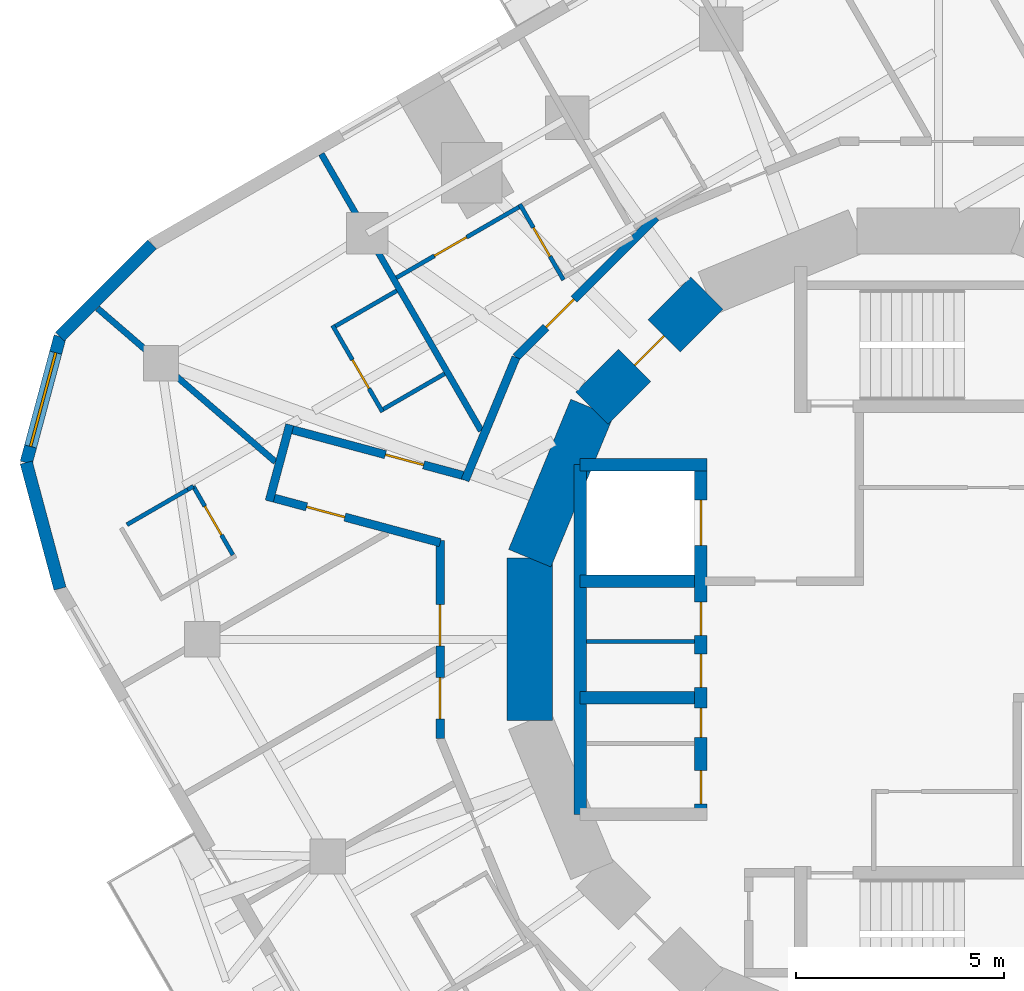
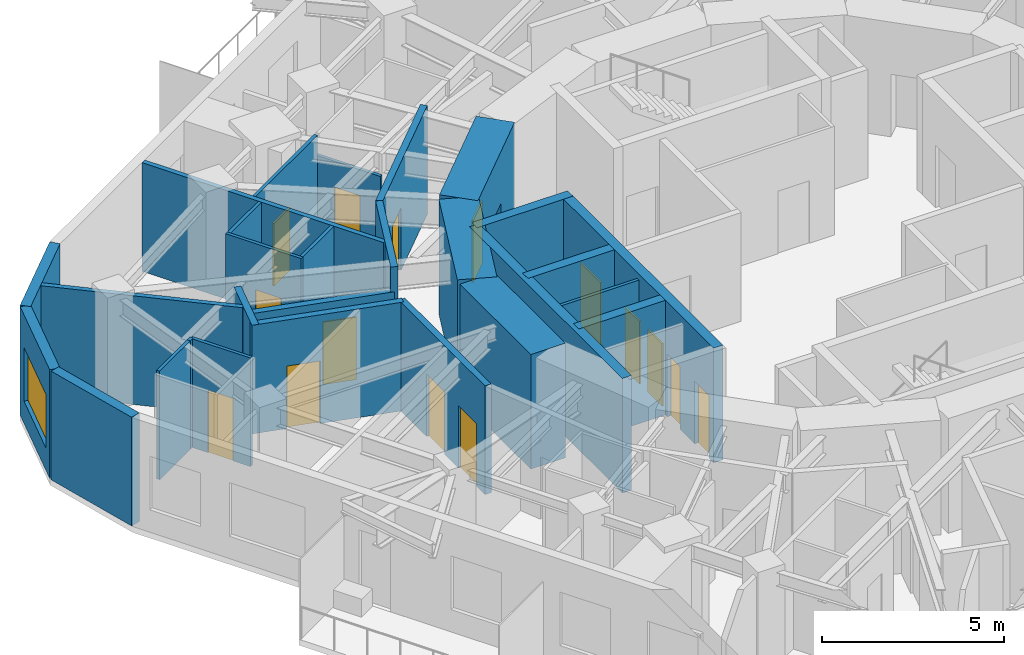
# One storey, part 6 of 12: 28 walls, 15 doors, 1 window, 16 openings.
"""IFC4 building model written with IfcOpenShell, lengths in metres."""

from ifc_helpers import new_model, si_unit, direction, frame, frame_2d, origin, place, context, subcontext, project, spatial, rectangle, extrude, material, layer, layer_set, type_object, element, fill, save


model = new_model("IFC4")

# Units and contexts
model_context = context("Model", 3, precision=1e-05, world=origin(), true_north=direction((0.0, 1.0)))
body_context = subcontext(model_context, "Body", "Model", "MODEL_VIEW")
ifc_project = project(units=[si_unit("LENGTHUNIT", "METRE"), si_unit("AREAUNIT", "SQUARE_METRE"), si_unit("VOLUMEUNIT", "CUBIC_METRE"), si_unit("PLANEANGLEUNIT", "RADIAN"), si_unit("MASSUNIT", "GRAM", prefix="KILO")], contexts=[model_context])

# Site, building, storey
site_placement = place(None, origin())
site = spatial("IfcSite", under=ifc_project, at=site_placement, CompositionType="ELEMENT")
building_placement = place(site_placement, origin())
building = spatial("IfcBuilding", under=site, at=building_placement, Name="Nakasero Lantern House", CompositionType="ELEMENT")
storey_placement = place(building_placement, frame((0.0, 0.0, 226.949951171875)))
storey = spatial("IfcBuildingStorey", under=building, at=storey_placement, Name="L55", CompositionType="ELEMENT", Elevation=226.949951171875)

# Wall, openings, doors
ifc_material_1 = material(Name="Concrete C50/60", Category="concrete")
ifc_layer_1 = layer(ifc_material_1, 0.300048828125)
ifc_layer_set_1 = layer_set([ifc_layer_1], Name="Core inner wall 300")
wall_type_1 = type_object("IfcWallType", Name="Core inner wall 300", PredefinedType="SHEAR", material=ifc_layer_set_1)
wall_1_placement = place(storey_placement, frame((-5.699951171875, -4.199951171875, 0.0), z_axis=(0.0, 0.0, 1.0), x_axis=(0.0, 1.0, 0.0)))
wall_1 = element("IfcWall", 1, at=wall_1_placement, inside=storey, type_object=wall_type_1, Name="Core inner wall L55 LW", PredefinedType="SHEAR", context=body_context, shape_type="SweptSolid", body=[
    extrude(rectangle(XDim=8.39990234375, YDim=0.300048828125, at=frame_2d((4.199951171875, 0.0))), origin(), (0.0, 0.0, 1.0), 3.85009765625),
])
opening_1_placement = place(wall_1_placement, frame((0.25, 0.0, 0.0)))
opening_1 = element("IfcOpeningElement", 2, at=opening_1_placement, cuts=wall_1, Name="Opening D19", PredefinedType="OPENING", context=body_context, shape_type="SweptSolid", body=[
    extrude(rectangle(XDim=0.800048828125, YDim=2.10009765625, at=frame_2d((0.39990234375, 1.050048828125))), frame((0.0, 0.169921875, 0.0), z_axis=(0.0, -1.0, 0.0), x_axis=(1.0, 0.0, 0.0)), (0.0, 0.0, 1.0), 0.340087890625),
])
opening_2_placement = place(wall_1_placement, frame((1.85009765625, 0.0, 0.0)))
opening_2 = element("IfcOpeningElement", 3, at=opening_2_placement, cuts=wall_1, Name="Opening D20", PredefinedType="OPENING", context=body_context, shape_type="SweptSolid", body=[
    extrude(rectangle(XDim=0.699951171875, YDim=2.10009765625, at=frame_2d((0.35009765625, 1.050048828125))), frame((0.0, 0.169921875, 0.0), z_axis=(0.0, -1.0, 0.0), x_axis=(1.0, 0.0, 0.0)), (0.0, 0.0, 1.0), 0.340087890625),
])
opening_3_placement = place(wall_1_placement, frame((3.050048828125, 0.0, 0.0)))
opening_3 = element("IfcOpeningElement", 4, at=opening_3_placement, cuts=wall_1, Name="Opening D15", PredefinedType="OPENING", context=body_context, shape_type="SweptSolid", body=[
    extrude(rectangle(XDim=0.800048828125, YDim=2.10009765625, at=frame_2d((0.39990234375, 1.050048828125))), frame((0.0, 0.169921875, 0.0), z_axis=(0.0, -1.0, 0.0), x_axis=(1.0, 0.0, 0.0)), (0.0, 0.0, 1.0), 0.340087890625),
])
opening_4_placement = place(wall_1_placement, frame((4.300048828125, 0.0, 0.0)))
opening_4 = element("IfcOpeningElement", 5, at=opening_4_placement, cuts=wall_1, Name="Opening D15", PredefinedType="OPENING", context=body_context, shape_type="SweptSolid", body=[
    extrude(rectangle(XDim=0.800048828125, YDim=2.10009765625, at=frame_2d((0.39990234375, 1.050048828125))), frame((0.0, 0.169921875, 0.0), z_axis=(0.0, -1.0, 0.0), x_axis=(1.0, 0.0, 0.0)), (0.0, 0.0, 1.0), 0.340087890625),
])
opening_5_placement = place(wall_1_placement, frame((6.449951171875, 0.0, 0.0)))
opening_5 = element("IfcOpeningElement", 6, at=opening_5_placement, cuts=wall_1, Name="Opening LD", PredefinedType="OPENING", context=body_context, shape_type="SweptSolid", body=[
    extrude(rectangle(XDim=1.10009765625, YDim=2.10009765625, at=frame_2d((0.550048828125, 1.050048828125))), frame((0.0, 0.169921875, 0.0), z_axis=(0.0, -1.0, 0.0), x_axis=(1.0, 0.0, 0.0)), (0.0, 0.0, 1.0), 0.340087890625),
])
ifc_material_2 = material(Name="Timber C24", Category="wood")
door_type_1 = type_object("IfcDoorType", Name="Cleaner's store door FD30S 700", OperationType="SINGLE_SWING_LEFT", PredefinedType="DOOR", material=ifc_material_2)
door_1_placement = place(opening_2_placement, origin())
door_1 = element("IfcDoor", 7, at=door_1_placement, inside=storey, type_object=door_type_1, Name="Door L55 D-SH-LW1b", OperationType="SINGLE_SWING_LEFT", OverallHeight=2.10009765625, OverallWidth=0.699951171875, PredefinedType="DOOR", context=body_context, shape_type="SweptSolid", body=[
    extrude(rectangle(XDim=0.699951171875, YDim=2.10009765625, at=frame_2d((0.35009765625, 1.050048828125))), frame((0.0, 0.02490234375, 0.0), z_axis=(0.0, -1.0, 0.0), x_axis=(1.0, 0.0, 0.0)), (0.0, 0.0, 1.0), 0.050048828125),
])
fill(opening_2, door_1)
ifc_material_3 = material(Name="Timber C24", Category="wood")
door_type_2 = type_object("IfcDoorType", Name="Cleaner's store door FD30S 800", OperationType="SINGLE_SWING_LEFT", PredefinedType="DOOR", material=ifc_material_3)
door_2_placement = place(opening_3_placement, origin())
door_2 = element("IfcDoor", 8, at=door_2_placement, inside=storey, type_object=door_type_2, Name="Door L55 D-SH-LW2a", OperationType="SINGLE_SWING_LEFT", OverallHeight=2.10009765625, OverallWidth=0.800048828125, PredefinedType="DOOR", context=body_context, shape_type="SweptSolid", body=[
    extrude(rectangle(XDim=0.800048828125, YDim=2.10009765625, at=frame_2d((0.39990234375, 1.050048828125))), frame((0.0, 0.02490234375, 0.0), z_axis=(0.0, -1.0, 0.0), x_axis=(1.0, 0.0, 0.0)), (0.0, 0.0, 1.0), 0.050048828125),
])
fill(opening_3, door_2)
door_3_placement = place(opening_4_placement, origin())
door_3 = element("IfcDoor", 9, at=door_3_placement, inside=storey, type_object=door_type_2, Name="Door L55 D-SH-LW2b", OperationType="SINGLE_SWING_RIGHT", OverallHeight=2.10009765625, OverallWidth=0.800048828125, PredefinedType="DOOR", context=body_context, shape_type="SweptSolid", body=[
    extrude(rectangle(XDim=0.800048828125, YDim=2.10009765625, at=frame_2d((0.39990234375, 1.050048828125))), frame((0.0, 0.02490234375, 0.0), z_axis=(0.0, -1.0, 0.0), x_axis=(1.0, 0.0, 0.0)), (0.0, 0.0, 1.0), 0.050048828125),
])
fill(opening_4, door_3)
ifc_material_4 = material(Name="Steel S355", Category="steel")
door_type_3 = type_object("IfcDoorType", Name="Lift landing door E120 1100", OperationType="SLIDING_TO_LEFT", PredefinedType="DOOR", material=ifc_material_4)
door_4_placement = place(opening_5_placement, origin())
door_4 = element("IfcDoor", 10, at=door_4_placement, inside=storey, type_object=door_type_3, Name="Lift landing door LW3", OperationType="SLIDING_TO_LEFT", OverallHeight=2.10009765625, OverallWidth=1.10009765625, PredefinedType="DOOR", context=body_context, shape_type="SweptSolid", body=[
    extrude(rectangle(XDim=1.10009765625, YDim=2.10009765625, at=frame_2d((0.550048828125, 1.050048828125))), frame((0.0, 0.02490234375, 0.0), z_axis=(0.0, -1.0, 0.0), x_axis=(1.0, 0.0, 0.0)), (0.0, 0.0, 1.0), 0.050048828125),
])
fill(opening_5, door_4)
ifc_material_5 = material(Name="Steel S355", Category="steel")
door_type_4 = type_object("IfcDoorType", Name="Plant room door FD60 800", OperationType="SINGLE_SWING_LEFT", PredefinedType="DOOR", material=ifc_material_5)
door_5_placement = place(opening_1_placement, origin())
door_5 = element("IfcDoor", 11, at=door_5_placement, inside=storey, type_object=door_type_4, Name="Door L55 D-SH-LW1a", OperationType="SINGLE_SWING_LEFT", OverallHeight=2.10009765625, OverallWidth=0.800048828125, PredefinedType="DOOR", context=body_context, shape_type="SweptSolid", body=[
    extrude(rectangle(XDim=0.800048828125, YDim=2.10009765625, at=frame_2d((0.39990234375, 1.050048828125))), frame((0.0, 0.02490234375, 0.0), z_axis=(0.0, -1.0, 0.0), x_axis=(1.0, 0.0, 0.0)), (0.0, 0.0, 1.0), 0.050048828125),
])
fill(opening_1, door_5)

# Walls
wall_2_placement = place(storey_placement, frame((-8.60009765625, 4.199951171875, 0.0), z_axis=(0.0, 0.0, 1.0), x_axis=(1.0, 0.0, 0.0)))
element("IfcWall", 12, at=wall_2_placement, inside=storey, type_object=wall_type_1, Name="Core inner wall L55 LWN", PredefinedType="SHEAR", context=body_context, shape_type="SweptSolid", body=[
    extrude(rectangle(XDim=3.050048828125, YDim=0.300048828125, at=frame_2d((1.52490234375, 0.0))), origin(), (0.0, 0.0, 1.0), 3.85009765625),
])
wall_3_placement = place(storey_placement, frame((-8.60009765625, -4.199951171875, 0.0), z_axis=(0.0, 0.0, 1.0), x_axis=(0.0, 1.0, 0.0)))
element("IfcWall", 13, at=wall_3_placement, inside=storey, type_object=wall_type_1, Name="Core inner wall L55 LWB", PredefinedType="SHEAR", context=body_context, shape_type="SweptSolid", body=[
    extrude(rectangle(XDim=8.39990234375, YDim=0.300048828125, at=frame_2d((4.199951171875, 0.0))), origin(), (0.0, 0.0, 1.0), 3.85009765625),
])
for number, where, z_axis, x_axis, name in (
    (14, (-8.60009765625, -1.39990234375, 0.0), (0.0, 0.0, 1.0), (1.0, 0.0, 0.0), "Core inner wall L55 LW1"),
    (15, (-8.60009765625, 1.39990234375, 0.0), (0.0, 0.0, 1.0), (1.0, 0.0, 0.0), "Core inner wall L55 LW2"),
):
    element("IfcWall", number, at=place(storey_placement, frame(where, z_axis=z_axis, x_axis=x_axis)), inside=storey, type_object=wall_type_1, Name=name, PredefinedType="SHEAR", context=body_context, shape_type="SweptSolid", body=[
        extrude(rectangle(XDim=2.75, YDim=0.300048828125, at=frame_2d((1.375, 0.0))), origin(), (0.0, 0.0, 1.0), 3.85009765625),
    ])
ifc_material_6 = material(Name="Blockwork", Category="masonry")
ifc_layer_2 = layer(ifc_material_6, 0.10009765625)
ifc_layer_set_2 = layer_set([ifc_layer_2], Name="Core room wall 100")
wall_type_2 = type_object("IfcWallType", Name="Core room wall 100", PredefinedType="PARTITIONING", material=ifc_layer_set_2)
wall_4_placement = place(storey_placement, frame((-8.449951171875, -0.050048828125, 0.0), z_axis=(0.0, 0.0, 1.0), x_axis=(1.0, 0.0, 0.0)))
element("IfcWall", 16, at=wall_4_placement, inside=storey, type_object=wall_type_2, Name="Core room wall L55 CR-SH-LW2b", PredefinedType="PARTITIONING", context=body_context, shape_type="SweptSolid", body=[
    extrude(rectangle(XDim=2.599853515625, YDim=0.10009765625, at=frame_2d((1.2998046875, 0.0))), origin(), (0.0, 0.0, 1.0), 3.650146484375),
])

# Wall, opening, door
ifc_material_7 = material(Name="Concrete C50/60", Category="concrete")
ifc_layer_3 = layer(ifc_material_7, 1.10009765625)
ifc_layer_set_3 = layer_set([ifc_layer_3], Name="Core wall 1100")
wall_type_3 = type_object("IfcWallType", Name="Core wall 1100", PredefinedType="SHEAR", material=ifc_layer_set_3)
wall_5_placement = place(storey_placement, frame((-5.5556640625, 8.314697265625, 0.0), z_axis=(0.0, 0.0, 1.0), x_axis=(-0.707106781187, -0.707106781187, 0.0)))
wall_5 = element("IfcWall", 17, at=wall_5_placement, inside=storey, type_object=wall_type_3, Name="Core wall L55 facet 6", PredefinedType="SHEAR", context=body_context, shape_type="SweptSolid", body=[
    extrude(rectangle(XDim=3.90185546875, YDim=1.10009765625, at=frame_2d((1.950927734375, 0.0))), origin(), (0.0, 0.0, 1.0), 3.85009765625),
])
opening_6_placement = place(wall_5_placement, frame((1.450927734375, 0.0, 0.0)))
opening_6 = element("IfcOpeningElement", 18, at=opening_6_placement, cuts=wall_5, Name="Opening D05", PredefinedType="OPENING", context=body_context, shape_type="SweptSolid", body=[
    extrude(rectangle(XDim=1.0, YDim=2.10009765625, at=frame_2d((0.5, 1.050048828125))), frame((0.0, 0.570068359375, 0.0), z_axis=(0.0, -1.0, 0.0), x_axis=(1.0, 0.0, 0.0)), (0.0, 0.0, 1.0), 1.14013671875),
])
ifc_material_8 = material(Name="Timber C24", Category="wood")
door_type_5 = type_object("IfcDoorType", Name="Core door FD60S 1000", OperationType="SINGLE_SWING_LEFT", PredefinedType="DOOR", material=ifc_material_8)
door_6_placement = place(opening_6_placement, origin())
door_6 = element("IfcDoor", 19, at=door_6_placement, inside=storey, type_object=door_type_5, Name="Door L55 D-CORE06", OperationType="SINGLE_SWING_LEFT", OverallHeight=2.10009765625, OverallWidth=1.0, PredefinedType="DOOR", context=body_context, shape_type="SweptSolid", body=[
    extrude(rectangle(XDim=1.0, YDim=2.10009765625, at=frame_2d((0.5, 1.050048828125))), frame((0.0, 0.02490234375, 0.0), z_axis=(0.0, -1.0, 0.0), x_axis=(1.0, 0.0, 0.0)), (0.0, 0.0, 1.0), 0.050048828125),
])
fill(opening_6, door_6)

# Walls
for number, where, z_axis, x_axis, name in (
    (20, (-8.314697265625, 5.5556640625, 0.0), (0.0, 0.0, 1.0), (-0.382690736062, -0.923876507187, 0.0), "Core wall L55 facet 7"),
    (21, (-9.807861328125, 1.950927734375, 0.0), (0.0, 0.0, 1.0), (0.0, -1.0, 0.0), "Core wall L55 facet 8"),
):
    element("IfcWall", number, at=place(storey_placement, frame(where, z_axis=z_axis, x_axis=x_axis)), inside=storey, type_object=wall_type_3, Name=name, PredefinedType="SHEAR", context=body_context, shape_type="SweptSolid", body=[
        extrude(rectangle(XDim=3.90185546875, YDim=1.10009765625, at=frame_2d((1.950927734375, 0.0))), origin(), (0.0, 0.0, 1.0), 3.85009765625),
    ])

# Wall, openings, doors
ifc_material_9 = material(Name="Blockwork", Category="masonry")
ifc_layer_4 = layer(ifc_material_9, 0.199951171875)
ifc_layer_set_4 = layer_set([ifc_layer_4], Name="Corridor wall 200")
wall_type_4 = type_object("IfcWallType", Name="Corridor wall 200", PredefinedType="PARTITIONING", material=ifc_layer_set_4)
wall_6_placement = place(storey_placement, frame((-11.957763671875, -2.378662109375, 0.0), z_axis=(0.0, 0.0, 1.0), x_axis=(0.0, 1.0, 0.0)))
wall_6 = element("IfcWall", 22, at=wall_6_placement, inside=storey, type_object=wall_type_4, Name="Corridor wall L55 RC08a", PredefinedType="PARTITIONING", context=body_context, shape_type="SweptSolid", body=[
    extrude(rectangle(XDim=4.75732421875, YDim=0.199951171875, at=frame_2d((2.378662109375, 0.0))), origin(), (0.0, 0.0, 1.0), 3.650146484375),
])
opening_7_placement = place(wall_6_placement, frame((2.219970703125, 0.0, 0.0)))
opening_7 = element("IfcOpeningElement", 23, at=opening_7_placement, cuts=wall_6, Name="Opening D03", PredefinedType="OPENING", context=body_context, shape_type="SweptSolid", body=[
    extrude(rectangle(XDim=1.0, YDim=2.10009765625, at=frame_2d((0.5, 1.050048828125))), frame((0.0, 0.119873046875, 0.0), z_axis=(0.0, -1.0, 0.0), x_axis=(1.0, 0.0, 0.0)), (0.0, 0.0, 1.0), 0.239990234375),
])
opening_8_placement = place(wall_6_placement, frame((0.469970703125, 0.0, 0.0)))
opening_8 = element("IfcOpeningElement", 24, at=opening_8_placement, cuts=wall_6, Name="Opening D03", PredefinedType="OPENING", context=body_context, shape_type="SweptSolid", body=[
    extrude(rectangle(XDim=1.0, YDim=2.10009765625, at=frame_2d((0.5, 1.050048828125))), frame((0.0, 0.119873046875, 0.0), z_axis=(0.0, -1.0, 0.0), x_axis=(1.0, 0.0, 0.0)), (0.0, 0.0, 1.0), 0.239990234375),
])
ifc_material_10 = material(Name="Timber C24", Category="wood")
door_type_6 = type_object("IfcDoorType", Name="Lounge door FD30S 1000", OperationType="SINGLE_SWING_LEFT", PredefinedType="DOOR", material=ifc_material_10)
door_7_placement = place(opening_7_placement, origin())
door_7 = element("IfcDoor", 25, at=door_7_placement, inside=storey, type_object=door_type_6, Name="Door L55 DK2", OperationType="SINGLE_SWING_RIGHT", OverallHeight=2.10009765625, OverallWidth=1.0, PredefinedType="DOOR", context=body_context, shape_type="SweptSolid", body=[
    extrude(rectangle(XDim=1.0, YDim=2.10009765625, at=frame_2d((0.5, 1.050048828125))), frame((0.0, 0.02490234375, 0.0), z_axis=(0.0, -1.0, 0.0), x_axis=(1.0, 0.0, 0.0)), (0.0, 0.0, 1.0), 0.050048828125),
])
fill(opening_7, door_7)
door_8_placement = place(opening_8_placement, origin())
door_8 = element("IfcDoor", 26, at=door_8_placement, inside=storey, type_object=door_type_6, Name="Door L55 DK2-1", OperationType="SINGLE_SWING_LEFT", OverallHeight=2.10009765625, OverallWidth=1.0, PredefinedType="DOOR", context=body_context, shape_type="SweptSolid", body=[
    extrude(rectangle(XDim=1.0, YDim=2.10009765625, at=frame_2d((0.5, 1.050048828125))), frame((0.0, 0.02490234375, 0.0), z_axis=(0.0, -1.0, 0.0), x_axis=(1.0, 0.0, 0.0)), (0.0, 0.0, 1.0), 0.050048828125),
])
fill(opening_8, door_8)

# Wall
wall_7_placement = place(storey_placement, frame((-11.360595703125, 3.820556640625, 0.0), z_axis=(0.0, 0.0, 1.0), x_axis=(0.382662097458, 0.923888369431, 0.0)))
element("IfcWall", 27, at=wall_7_placement, inside=storey, type_object=wall_type_4, Name="Corridor wall L55 RC09b", PredefinedType="PARTITIONING", context=body_context, shape_type="SweptSolid", body=[
    extrude(rectangle(XDim=3.1962890625, YDim=0.199951171875, at=frame_2d((1.59814453125, 0.0))), origin(), (0.0, 0.0, 1.0), 3.650146484375),
])

# Wall, opening, door
wall_8_placement = place(storey_placement, frame((-10.137451171875, 6.773681640625, 0.0), z_axis=(0.0, 0.0, 1.0), x_axis=(0.707106781187, 0.707106781187, 0.0)))
wall_8 = element("IfcWall", 28, at=wall_8_placement, inside=storey, type_object=wall_type_4, Name="Corridor wall L55 RC10a", PredefinedType="PARTITIONING", context=body_context, shape_type="SweptSolid", body=[
    extrude(rectangle(XDim=4.757080078125, YDim=0.199951171875, at=frame_2d((2.37841796875, 0.0))), origin(), (0.0, 0.0, 1.0), 3.650146484375),
])
opening_9_placement = place(wall_8_placement, frame((1.02001953125, 0.0, 0.0)))
opening_9 = element("IfcOpeningElement", 29, at=opening_9_placement, cuts=wall_8, Name="Opening D01", PredefinedType="OPENING", context=body_context, shape_type="SweptSolid", body=[
    extrude(rectangle(XDim=0.949951171875, YDim=2.10009765625, at=frame_2d((0.47509765625, 1.050048828125))), frame((0.0, 0.119873046875, 0.0), z_axis=(0.0, -1.0, 0.0), x_axis=(1.0, 0.0, 0.0)), (0.0, 0.0, 1.0), 0.239990234375),
])
ifc_material_11 = material(Name="Timber C24", Category="wood")
door_type_7 = type_object("IfcDoorType", Name="Bedroom door FD30S 950", OperationType="SINGLE_SWING_LEFT", PredefinedType="DOOR", material=ifc_material_11)
door_9_placement = place(opening_9_placement, origin())
door_9 = element("IfcDoor", 30, at=door_9_placement, inside=storey, type_object=door_type_7, Name="Door L55 D1-04", OperationType="SINGLE_SWING_LEFT", OverallHeight=2.10009765625, OverallWidth=0.949951171875, PredefinedType="DOOR", context=body_context, shape_type="SweptSolid", body=[
    extrude(rectangle(XDim=0.949951171875, YDim=2.10009765625, at=frame_2d((0.47509765625, 1.050048828125))), frame((0.0, 0.02490234375, 0.0), z_axis=(0.0, -1.0, 0.0), x_axis=(1.0, 0.0, 0.0)), (0.0, 0.0, 1.0), 0.050048828125),
])
fill(opening_9, door_9)

wall_9_placement = place(storey_placement, frame((-11.322021484375, 3.913818359375, 0.0), z_axis=(0.0, 0.0, 1.0), x_axis=(-0.965936973474, 0.258777439659, 0.0)))
wall_9 = element("IfcWall", 31, at=wall_9_placement, inside=storey, type_object=wall_type_4, Name="Corridor wall L55 SP1a", PredefinedType="PARTITIONING", context=body_context, shape_type="SweptSolid", body=[
    extrude(rectangle(XDim=4.524658203125, YDim=0.199951171875, at=frame_2d((2.26220703125, 0.0))), origin(), (0.0, 0.0, 1.0), 2.809326171875),
])
opening_10_placement = place(wall_9_placement, frame((1.070068359375, 0.0, 0.0)))
opening_10 = element("IfcOpeningElement", 32, at=opening_10_placement, cuts=wall_9, Name="Opening D01", PredefinedType="OPENING", context=body_context, shape_type="SweptSolid", body=[
    extrude(rectangle(XDim=0.949951171875, YDim=2.10009765625, at=frame_2d((0.47509765625, 1.050048828125))), frame((0.0, 0.119873046875, 0.0), z_axis=(0.0, -1.0, 0.0), x_axis=(1.0, 0.0, 0.0)), (0.0, 0.0, 1.0), 0.239990234375),
])
door_10_placement = place(opening_10_placement, origin())
door_10 = element("IfcDoor", 33, at=door_10_placement, inside=storey, type_object=door_type_7, Name="Door L55 D1-06", OperationType="SINGLE_SWING_LEFT", OverallHeight=2.10009765625, OverallWidth=0.949951171875, PredefinedType="DOOR", context=body_context, shape_type="SweptSolid", body=[
    extrude(rectangle(XDim=0.949951171875, YDim=2.10009765625, at=frame_2d((0.47509765625, 1.050048828125))), frame((0.0, 0.02490234375, 0.0), z_axis=(0.0, -1.0, 0.0), x_axis=(1.0, 0.0, 0.0)), (0.0, 0.0, 1.0), 0.050048828125),
])
fill(opening_10, door_10)

wall_10_placement = place(storey_placement, frame((-11.957763671875, 2.32421875, 0.0), z_axis=(0.0, 0.0, 1.0), x_axis=(-0.965938975236, 0.258769967576, 0.0)))
wall_10 = element("IfcWall", 34, at=wall_10_placement, inside=storey, type_object=wall_type_4, Name="Corridor wall L55 SP1b", PredefinedType="PARTITIONING", context=body_context, shape_type="SweptSolid", body=[
    extrude(rectangle(XDim=4.322021484375, YDim=0.199951171875, at=frame_2d((2.1611328125, 0.0))), origin(), (0.0, 0.0, 1.0), 3.650146484375),
])
opening_11_placement = place(wall_10_placement, frame((2.3701171875, 0.0, 0.0)))
opening_11 = element("IfcOpeningElement", 35, at=opening_11_placement, cuts=wall_10, Name="Opening D01", PredefinedType="OPENING", context=body_context, shape_type="SweptSolid", body=[
    extrude(rectangle(XDim=0.949951171875, YDim=2.10009765625, at=frame_2d((0.47509765625, 1.050048828125))), frame((0.0, 0.119873046875, 0.0), z_axis=(0.0, -1.0, 0.0), x_axis=(1.0, 0.0, 0.0)), (0.0, 0.0, 1.0), 0.239990234375),
])
door_11_placement = place(opening_11_placement, origin())
door_11 = element("IfcDoor", 36, at=door_11_placement, inside=storey, type_object=door_type_7, Name="Door L55 D2-00", OperationType="SINGLE_SWING_RIGHT", OverallHeight=2.10009765625, OverallWidth=0.949951171875, PredefinedType="DOOR", context=body_context, shape_type="SweptSolid", body=[
    extrude(rectangle(XDim=0.949951171875, YDim=2.10009765625, at=frame_2d((0.47509765625, 1.050048828125))), frame((0.0, 0.02490234375, 0.0), z_axis=(0.0, -1.0, 0.0), x_axis=(1.0, 0.0, 0.0)), (0.0, 0.0, 1.0), 0.050048828125),
])
fill(opening_11, door_11)

# Wall
wall_11_placement = place(storey_placement, frame((-15.570068359375, 5.155517578125, 0.0), z_axis=(0.0, 0.0, 1.0), x_axis=(-0.258798174346, -0.96593141835, 0.0)))
element("IfcWall", 37, at=wall_11_placement, inside=storey, type_object=wall_type_4, Name="Corridor wall L55 SP1e", PredefinedType="PARTITIONING", context=body_context, shape_type="SweptSolid", body=[
    extrude(rectangle(XDim=1.89990234375, YDim=0.199951171875, at=frame_2d((0.949951171875, 0.0))), origin(), (0.0, 0.0, 1.0), 3.650146484375),
])

# Wall, opening, door
ifc_material_12 = material(Name="Blockwork", Category="masonry")
ifc_layer_5 = layer(ifc_material_12, 0.10009765625)
ifc_layer_set_5 = layer_set([ifc_layer_5], Name="En-suite wall 100")
wall_type_5 = type_object("IfcWallType", Name="En-suite wall 100", PredefinedType="PARTITIONING", material=ifc_layer_set_5)
wall_12_placement = place(storey_placement, frame((-8.997314453125, 8.632080078125, 0.0), z_axis=(0.0, 0.0, 1.0), x_axis=(-0.499977374825, 0.866038466041, 0.0)))
wall_12 = element("IfcWall", 38, at=wall_12_placement, inside=storey, type_object=wall_type_5, Name="En-suite wall L55 ES1-04", PredefinedType="PARTITIONING", context=body_context, shape_type="SweptSolid", body=[
    extrude(rectangle(XDim=2.10009765625, YDim=0.10009765625, at=frame_2d((1.050048828125, 0.0))), origin(), (0.0, 0.0, 1.0), 2.966552734375),
])
opening_12_placement = place(wall_12_placement, frame((0.64990234375, 0.0, 0.0)))
opening_12 = element("IfcOpeningElement", 39, at=opening_12_placement, cuts=wall_12, Name="Opening D02", PredefinedType="OPENING", context=body_context, shape_type="SweptSolid", body=[
    extrude(rectangle(XDim=0.800048828125, YDim=2.10009765625, at=frame_2d((0.39990234375, 1.050048828125))), frame((0.0, 0.070068359375, 0.0), z_axis=(0.0, -1.0, 0.0), x_axis=(1.0, 0.0, 0.0)), (0.0, 0.0, 1.0), 0.14013671875),
])
ifc_material_13 = material(Name="Timber C24", Category="wood")
door_type_8 = type_object("IfcDoorType", Name="En-suite door 800", OperationType="SINGLE_SWING_RIGHT", PredefinedType="DOOR", material=ifc_material_13)
door_12_placement = place(opening_12_placement, origin())
door_12 = element("IfcDoor", 40, at=door_12_placement, inside=storey, type_object=door_type_8, Name="Door L55 DE1-04", OperationType="SINGLE_SWING_RIGHT", OverallHeight=2.10009765625, OverallWidth=0.800048828125, PredefinedType="DOOR", context=body_context, shape_type="SweptSolid", body=[
    extrude(rectangle(XDim=0.800048828125, YDim=2.10009765625, at=frame_2d((0.39990234375, 1.050048828125))), frame((0.0, 0.02490234375, 0.0), z_axis=(0.0, -1.0, 0.0), x_axis=(1.0, 0.0, 0.0)), (0.0, 0.0, 1.0), 0.050048828125),
])
fill(opening_12, door_12)

wall_13_placement = place(storey_placement, frame((-13.342041015625, 5.46044921875, 0.0), z_axis=(0.0, 0.0, 1.0), x_axis=(-0.500033551112, 0.866006032174, 0.0)))
wall_13 = element("IfcWall", 41, at=wall_13_placement, inside=storey, type_object=wall_type_5, Name="En-suite wall L55 ES1-06", PredefinedType="PARTITIONING", context=body_context, shape_type="SweptSolid", body=[
    extrude(rectangle(XDim=2.400146484375, YDim=0.10009765625, at=frame_2d((1.2001953125, 0.0))), origin(), (0.0, 0.0, 1.0), 3.650146484375),
])
opening_13_placement = place(wall_13_placement, frame((0.64990234375, 0.0, 0.0)))
opening_13 = element("IfcOpeningElement", 42, at=opening_13_placement, cuts=wall_13, Name="Opening D02", PredefinedType="OPENING", context=body_context, shape_type="SweptSolid", body=[
    extrude(rectangle(XDim=0.800048828125, YDim=2.10009765625, at=frame_2d((0.39990234375, 1.050048828125))), frame((0.0, 0.070068359375, 0.0), z_axis=(0.0, -1.0, 0.0), x_axis=(1.0, 0.0, 0.0)), (0.0, 0.0, 1.0), 0.14013671875),
])
door_13_placement = place(opening_13_placement, origin())
door_13 = element("IfcDoor", 43, at=door_13_placement, inside=storey, type_object=door_type_8, Name="Door L55 DE1-06", OperationType="SINGLE_SWING_LEFT", OverallHeight=2.10009765625, OverallWidth=0.800048828125, PredefinedType="DOOR", context=body_context, shape_type="SweptSolid", body=[
    extrude(rectangle(XDim=0.800048828125, YDim=2.10009765625, at=frame_2d((0.39990234375, 1.050048828125))), frame((0.0, 0.02490234375, 0.0), z_axis=(0.0, -1.0, 0.0), x_axis=(1.0, 0.0, 0.0)), (0.0, 0.0, 1.0), 0.050048828125),
])
fill(opening_13, door_13)

# Walls
for number, where, z_axis, x_axis, name in (
    (44, (-13.001708984375, 8.37060546875, 0.0), (0.0, 0.0, 1.0), (-0.86605165483, -0.499954529098, 0.0), "En-suite wall L55 EE1-06"),
    (45, (-11.8515625, 6.37890625, 0.0), (0.0, 0.0, 1.0), (-0.865989465428, -0.500062241894, 0.0), "En-suite wall L55 EI1-06"),
):
    element("IfcWall", number, at=place(storey_placement, frame(where, z_axis=z_axis, x_axis=x_axis)), inside=storey, type_object=wall_type_5, Name=name, PredefinedType="PARTITIONING", context=body_context, shape_type="SweptSolid", body=[
        extrude(rectangle(XDim=1.699951171875, YDim=0.10009765625, at=frame_2d((0.85009765625, 0.0))), origin(), (0.0, 0.0, 1.0), 3.650146484375),
    ])

# Wall, opening, door
wall_14_placement = place(storey_placement, frame((-17.8837890625, 3.675537109375, 0.0), z_axis=(0.0, 0.0, 1.0), x_axis=(0.499967155389, -0.866044365799, 0.0)))
wall_14 = element("IfcWall", 46, at=wall_14_placement, inside=storey, type_object=wall_type_5, Name="En-suite wall L55 EI2-00", PredefinedType="PARTITIONING", context=body_context, shape_type="SweptSolid", body=[
    extrude(rectangle(XDim=1.900146484375, YDim=0.10009765625, at=frame_2d((0.9501953125, 0.0))), origin(), (0.0, 0.0, 1.0), 3.650146484375),
])
opening_14_placement = place(wall_14_placement, frame((0.550048828125, 0.0, 0.0)))
opening_14 = element("IfcOpeningElement", 47, at=opening_14_placement, cuts=wall_14, Name="Opening D02", PredefinedType="OPENING", context=body_context, shape_type="SweptSolid", body=[
    extrude(rectangle(XDim=0.800048828125, YDim=2.10009765625, at=frame_2d((0.39990234375, 1.050048828125))), frame((0.0, 0.070068359375, 0.0), z_axis=(0.0, -1.0, 0.0), x_axis=(1.0, 0.0, 0.0)), (0.0, 0.0, 1.0), 0.14013671875),
])
door_14_placement = place(opening_14_placement, origin())
door_14 = element("IfcDoor", 48, at=door_14_placement, inside=storey, type_object=door_type_8, Name="Door L55 DE2-00", OperationType="SINGLE_SWING_RIGHT", OverallHeight=2.10009765625, OverallWidth=0.800048828125, PredefinedType="DOOR", context=body_context, shape_type="SweptSolid", body=[
    extrude(rectangle(XDim=0.800048828125, YDim=2.10009765625, at=frame_2d((0.39990234375, 1.050048828125))), frame((0.0, 0.02490234375, 0.0), z_axis=(0.0, -1.0, 0.0), x_axis=(1.0, 0.0, 0.0)), (0.0, 0.0, 1.0), 0.050048828125),
])
fill(opening_14, door_14)

wall_15_placement = place(storey_placement, frame((-10.065673828125, 10.382568359375, 0.0), z_axis=(0.0, 0.0, 1.0), x_axis=(-0.866024081565, -0.500002290144, 0.0)))
wall_15 = element("IfcWall", 49, at=wall_15_placement, inside=storey, type_object=wall_type_5, Name="En-suite wall L55 EL1-04", PredefinedType="PARTITIONING", context=body_context, shape_type="SweptSolid", body=[
    extrude(rectangle(XDim=3.3984375, YDim=0.10009765625, at=frame_2d((1.69921875, 0.0))), origin(), (0.0, 0.0, 1.0), 3.650146484375),
])
opening_15_placement = place(wall_15_placement, frame((1.449951171875, 0.0, 0.0)))
opening_15 = element("IfcOpeningElement", 50, at=opening_15_placement, cuts=wall_15, Name="Opening D17", PredefinedType="OPENING", context=body_context, shape_type="SweptSolid", body=[
    extrude(rectangle(XDim=0.89990234375, YDim=2.10009765625, at=frame_2d((0.449951171875, 1.050048828125))), frame((0.0, 0.070068359375, 0.0), z_axis=(0.0, -1.0, 0.0), x_axis=(1.0, 0.0, 0.0)), (0.0, 0.0, 1.0), 0.14013671875),
])
ifc_material_14 = material(Name="Timber C24", Category="wood")
door_type_9 = type_object("IfcDoorType", Name="Bedroom door FD30S 900", OperationType="SINGLE_SWING_LEFT", PredefinedType="DOOR", material=ifc_material_14)
door_15_placement = place(opening_15_placement, origin())
door_15 = element("IfcDoor", 51, at=door_15_placement, inside=storey, type_object=door_type_9, Name="Door L55 DL1-04", OperationType="SINGLE_SWING_RIGHT", OverallHeight=2.10009765625, OverallWidth=0.89990234375, PredefinedType="DOOR", context=body_context, shape_type="SweptSolid", body=[
    extrude(rectangle(XDim=0.89990234375, YDim=2.10009765625, at=frame_2d((0.449951171875, 1.050048828125))), frame((0.0, 0.02490234375, 0.0), z_axis=(0.0, -1.0, 0.0), x_axis=(1.0, 0.0, 0.0)), (0.0, 0.0, 1.0), 0.050048828125),
])
fill(opening_15, door_15)

# Walls
wall_16_placement = place(storey_placement, frame((-18.022216796875, 3.595458984375, 0.0), z_axis=(0.0, 0.0, 1.0), x_axis=(-0.866088799389, -0.499890179513, 0.0)))
element("IfcWall", 52, at=wall_16_placement, inside=storey, type_object=wall_type_5, Name="En-suite wall L55 EX002", PredefinedType="PARTITIONING", context=body_context, shape_type="SweptSolid", body=[
    extrude(rectangle(XDim=1.68017578125, YDim=0.10009765625, at=frame_2d((0.840087890625, 0.0))), origin(), (0.0, 0.0, 1.0), 3.650146484375),
])
wall_17_placement = place(storey_placement, frame((-17.8837890625, 3.675537109375, 0.0), z_axis=(0.0, 0.0, 1.0), x_axis=(-0.865600433939, -0.500735348028, 0.0)))
element("IfcWall", 53, at=wall_17_placement, inside=storey, type_object=wall_type_5, Name="En-suite wall L55 EI2-00R0", PredefinedType="PARTITIONING", context=body_context, shape_type="SweptSolid", body=[
    extrude(rectangle(XDim=0.159912109375, YDim=0.10009765625, at=frame_2d((0.080078125, 0.0))), origin(), (0.0, 0.0, 1.0), 3.650146484375),
])
ifc_material_15 = material(Name="Aluminium rainscreen on blockwork", Category="masonry")
ifc_layer_6 = layer(ifc_material_15, 0.300048828125)
ifc_layer_set_6 = layer_set([ifc_layer_6], Name="Facade wall 300")
wall_type_6 = type_object("IfcWallType", Name="Facade wall 300", PredefinedType="SOLIDWALL", material=ifc_layer_set_6)
wall_18_placement = place(storey_placement, frame((-18.870849609375, 9.4853515625, 0.0), z_axis=(0.0, 0.0, 1.0), x_axis=(-0.707145758492, -0.707067801733, 0.0)))
element("IfcWall", 54, at=wall_18_placement, inside=storey, type_object=wall_type_6, Name="Facade wall L55 FW1C1", PredefinedType="SOLIDWALL", context=body_context, shape_type="SweptSolid", body=[
    extrude(rectangle(XDim=3.1318359375, YDim=0.300048828125, at=frame_2d((1.56591796875, 0.0))), origin(), (0.0, 0.0, 1.0), 3.650146484375),
])

# Wall, opening, window
wall_19_placement = place(storey_placement, frame((-21.08544921875, 7.27099609375, 0.0), z_axis=(0.0, 0.0, 1.0), x_axis=(-0.258807521156, -0.965928914048, 0.0)))
wall_19 = element("IfcWall", 55, at=wall_19_placement, inside=storey, type_object=wall_type_6, Name="Facade wall L55 FW1C2", PredefinedType="SOLIDWALL", context=body_context, shape_type="SweptSolid", body=[
    extrude(rectangle(XDim=3.1318359375, YDim=0.300048828125, at=frame_2d((1.56591796875, 0.0))), origin(), (0.0, 0.0, 1.0), 3.650146484375),
])
opening_16_placement = place(wall_19_placement, frame((0.39990234375, 0.0, 0.75)))
opening_16 = element("IfcOpeningElement", 56, at=opening_16_placement, cuts=wall_19, Name="Opening W223", PredefinedType="OPENING", context=body_context, shape_type="SweptSolid", body=[
    extrude(rectangle(XDim=2.33203125, YDim=1.800048828125, at=frame_2d((1.166015625, 0.89990234375))), frame((0.0, 0.169921875, 0.0), z_axis=(0.0, -1.0, 0.0), x_axis=(1.0, 0.0, 0.0)), (0.0, 0.0, 1.0), 0.340087890625),
])
ifc_material_16 = material(Name="Aluminium 6063-T6 and glass", Category="aluminium")
window_type = type_object("IfcWindowType", Name="Corner window 2332x1800", PartitioningType="SINGLE_PANEL", PredefinedType="WINDOW", material=ifc_material_16)
window_placement = place(opening_16_placement, origin())
window = element("IfcWindow", 57, at=window_placement, inside=storey, type_object=window_type, Name="Window L55 WC1", OverallHeight=1.800048828125, OverallWidth=2.33203125, PartitioningType="SINGLE_PANEL", PredefinedType="WINDOW", context=body_context, shape_type="SweptSolid", body=[
    extrude(rectangle(XDim=2.33203125, YDim=1.800048828125, at=frame_2d((1.166015625, 0.89990234375))), frame((0.0, 0.030029296875, 0.0), z_axis=(0.0, -1.0, 0.0), x_axis=(1.0, 0.0, 0.0)), (0.0, 0.0, 1.0), 0.06005859375),
])
fill(opening_16, window)

# Walls
wall_20_placement = place(storey_placement, frame((-21.89599609375, 4.245849609375, 0.0), z_axis=(0.0, 0.0, 1.0), x_axis=(0.258827010283, -0.96592369199, 0.0)))
element("IfcWall", 58, at=wall_20_placement, inside=storey, type_object=wall_type_6, Name="Facade wall L55 FW1C3", PredefinedType="SOLIDWALL", context=body_context, shape_type="SweptSolid", body=[
    extrude(rectangle(XDim=3.131591796875, YDim=0.300048828125, at=frame_2d((1.56591796875, 0.0))), origin(), (0.0, 0.0, 1.0), 3.650146484375),
])
ifc_material_17 = material(Name="Blockwork", Category="masonry")
ifc_layer_7 = layer(ifc_material_17, 0.14990234375)
ifc_layer_set_7 = layer_set([ifc_layer_7], Name="Party wall 150")
wall_type_7 = type_object("IfcWallType", Name="Party wall 150", PredefinedType="PARTITIONING", material=ifc_layer_set_7)
wall_21_placement = place(storey_placement, frame((-10.9755859375, 5.011474609375, 0.0), z_axis=(0.0, 0.0, 1.0), x_axis=(-0.499985976588, 0.866033500054, 0.0)))
element("IfcWall", 59, at=wall_21_placement, inside=storey, type_object=wall_type_7, Name="Party wall L55 PW1-06", PredefinedType="PARTITIONING", context=body_context, shape_type="SweptSolid", body=[
    extrude(rectangle(XDim=7.672119140625, YDim=0.14990234375, at=frame_2d((3.8359375, 0.0))), origin(), (0.0, 0.0, 1.0), 3.650146484375),
])
wall_22_placement = place(storey_placement, frame((-15.91259765625, 4.263671875, 0.0), z_axis=(0.0, 0.0, 1.0), x_axis=(-0.75716427978, 0.653224504612, 0.0)))
element("IfcWall", 60, at=wall_22_placement, inside=storey, type_object=wall_type_7, Name="Party wall L55 PW2-00", PredefinedType="PARTITIONING", context=body_context, shape_type="SweptSolid", body=[
    extrude(rectangle(XDim=5.644287109375, YDim=0.14990234375, at=frame_2d((2.822265625, 0.0))), origin(), (0.0, 0.0, 1.0), 3.650146484375),
])

save(model, "model.ifc")
